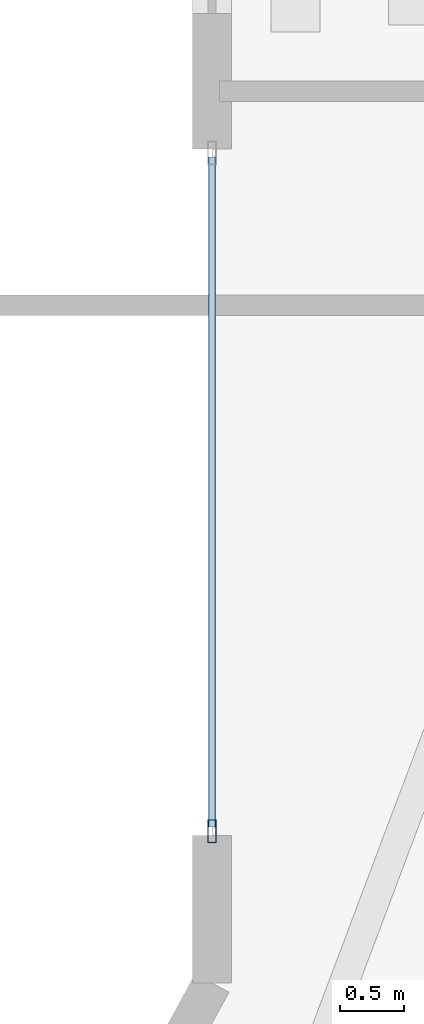
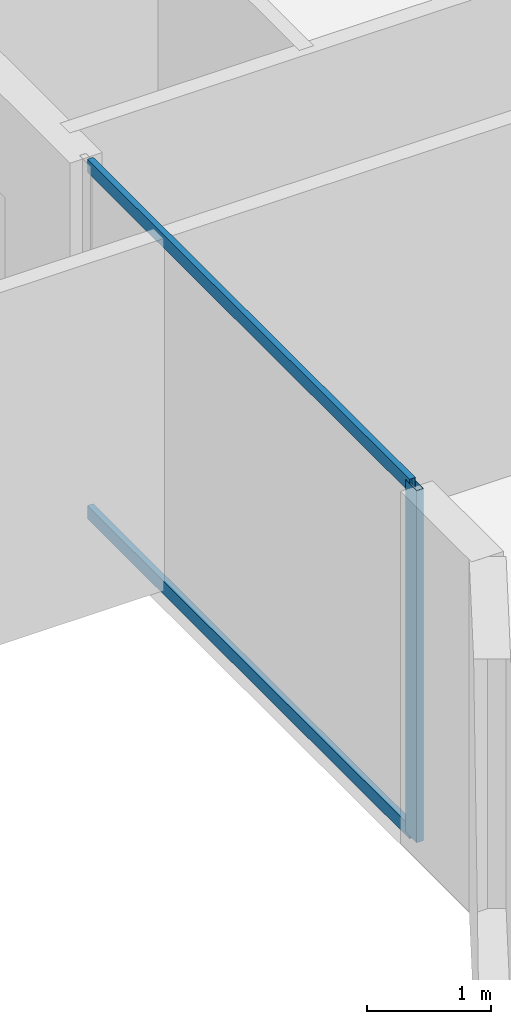
# One storey, part 6 of 25: 3 members, 1 element without a shape of its own.
"""IFC4 building model written with IfcOpenShell, lengths in metres."""

from ifc_helpers import new_model, si_unit, direction, frame, origin, origin_2d, place, context, subcontext, project, spatial, hollow_rectangle, extrude, material, layer, layer_set, material_profile, profile_set, type_object, element, aggregate, save


model = new_model("IFC4")

# Units and contexts
model_context = context("Model", 3, precision=1e-05, world=origin(), true_north=direction((0.0, 1.0)))
body_context = subcontext(model_context, "Body", "Model", "MODEL_VIEW")
ifc_project = project(units=[si_unit("LENGTHUNIT", "METRE"), si_unit("AREAUNIT", "SQUARE_METRE"), si_unit("VOLUMEUNIT", "CUBIC_METRE"), si_unit("PLANEANGLEUNIT", "RADIAN"), si_unit("MASSUNIT", "GRAM", prefix="KILO")], contexts=[model_context])

# Site, building, storey
site_placement = place(None, origin())
site = spatial("IfcSite", under=ifc_project, at=site_placement, CompositionType="ELEMENT")
building_placement = place(site_placement, origin())
building = spatial("IfcBuilding", under=site, at=building_placement, Name="Zuhayl Quay Hotel", CompositionType="ELEMENT")
storey_placement = place(building_placement, frame((0.0, 0.0, 250.75)))
storey = spatial("IfcBuildingStorey", under=building, at=storey_placement, Name="L63", CompositionType="ELEMENT", Elevation=250.75)

# Curtain wall, members
ifc_material_1 = material(Name="Anodised Aluminium 6063-T6", Category="aluminium")
ifc_layer = layer(ifc_material_1, 0.169921875, Name="Anodised Aluminium 6063-T6", Category="aluminium")
ifc_layer_set = layer_set([ifc_layer], Name="Anodised Aluminium 6063-T6")
curtain_wall_type = type_object("IfcCurtainWallType", Name="CW_SYS_Z4", PredefinedType="USERDEFINED", material=ifc_layer_set)
curtain_wall_placement = place(storey_placement, origin())
curtain_wall = element("IfcCurtainWall", 1, at=curtain_wall_placement, inside=storey, type_object=curtain_wall_type, Name="L63 Curtain Wall ENV_L63_E05_CW1", ObjectType="UNITISED CURTAIN WALL", PredefinedType="USERDEFINED")
ifc_material_2 = material(Name="Black-anodised aluminium 6063-T6", Category="aluminium")
ifc_material_profile_1 = material_profile(ifc_material_2, hollow_rectangle(XDim=0.06494140625, YDim=0.179931640625, WallThickness=0.00341796875, at=origin_2d()), Name="ALU180X65")
ifc_profile_set_1 = profile_set([ifc_material_profile_1], Name="Black-anodised aluminium 6063-T6")
member_type_1 = type_object("IfcMemberType", Name="MB_CW_MUL_180", PredefinedType="MULLION", material=ifc_profile_set_1)
member_1_placement = place(storey_placement, frame((-20.199951171875, 25.282470703125, 0.0), z_axis=(0.0, 0.0, 1.0), x_axis=(-1.0, 0.0, 0.0)))
member_1 = element("IfcMember", 2, at=member_1_placement, type_object=member_type_1, Name="CW-Z4 mullion 1", PredefinedType="MULLION", context=body_context, shape_type="SweptSolid", body=[
    extrude(hollow_rectangle(XDim=0.06494140625, YDim=0.179931640625, WallThickness=0.00341796875, at=origin_2d()), origin(), (0.0, 0.0, 1.0), 3.47998046875),
])
ifc_material_profile_2 = material_profile(ifc_material_2, hollow_rectangle(XDim=0.054931640625, YDim=0.1298828125, WallThickness=0.0029296875, at=origin_2d()), Name="ALU130X55")
ifc_profile_set_2 = profile_set([ifc_material_profile_2], Name="Black-anodised aluminium 6063-T6")
member_type_2 = type_object("IfcMemberType", Name="MB_CW_TRN_130", PredefinedType="USERDEFINED", material=ifc_profile_set_2)
member_2_placement = place(storey_placement, frame((-20.199951171875, 25.31494140625, 0.027587890625), z_axis=(0.0, 1.0, 0.0), x_axis=(-1.0, 0.0, 0.0)))
member_2 = element("IfcMember", 3, at=member_2_placement, type_object=member_type_2, Name="CW-Z4 transom 1.1", ObjectType="TRANSOM", PredefinedType="USERDEFINED", context=body_context, shape_type="SweptSolid", body=[
    extrude(hollow_rectangle(XDim=0.054931640625, YDim=0.1298828125, WallThickness=0.0029296875, at=origin_2d()), origin(), (0.0, 0.0, 1.0), 5.219970703125),
])
member_3_placement = place(storey_placement, frame((-20.199951171875, 25.31494140625, 3.452392578125), z_axis=(0.0, 1.0, 0.0), x_axis=(-1.0, 0.0, 0.0)))
member_3 = element("IfcMember", 4, at=member_3_placement, type_object=member_type_2, Name="CW-Z4 transom 1.2", ObjectType="TRANSOM", PredefinedType="USERDEFINED", context=body_context, shape_type="SweptSolid", body=[
    extrude(hollow_rectangle(XDim=0.054931640625, YDim=0.1298828125, WallThickness=0.0029296875, at=origin_2d()), origin(), (0.0, 0.0, 1.0), 5.219970703125),
])
aggregate(curtain_wall, [member_1, member_2, member_3])

save(model, "model.ifc")
